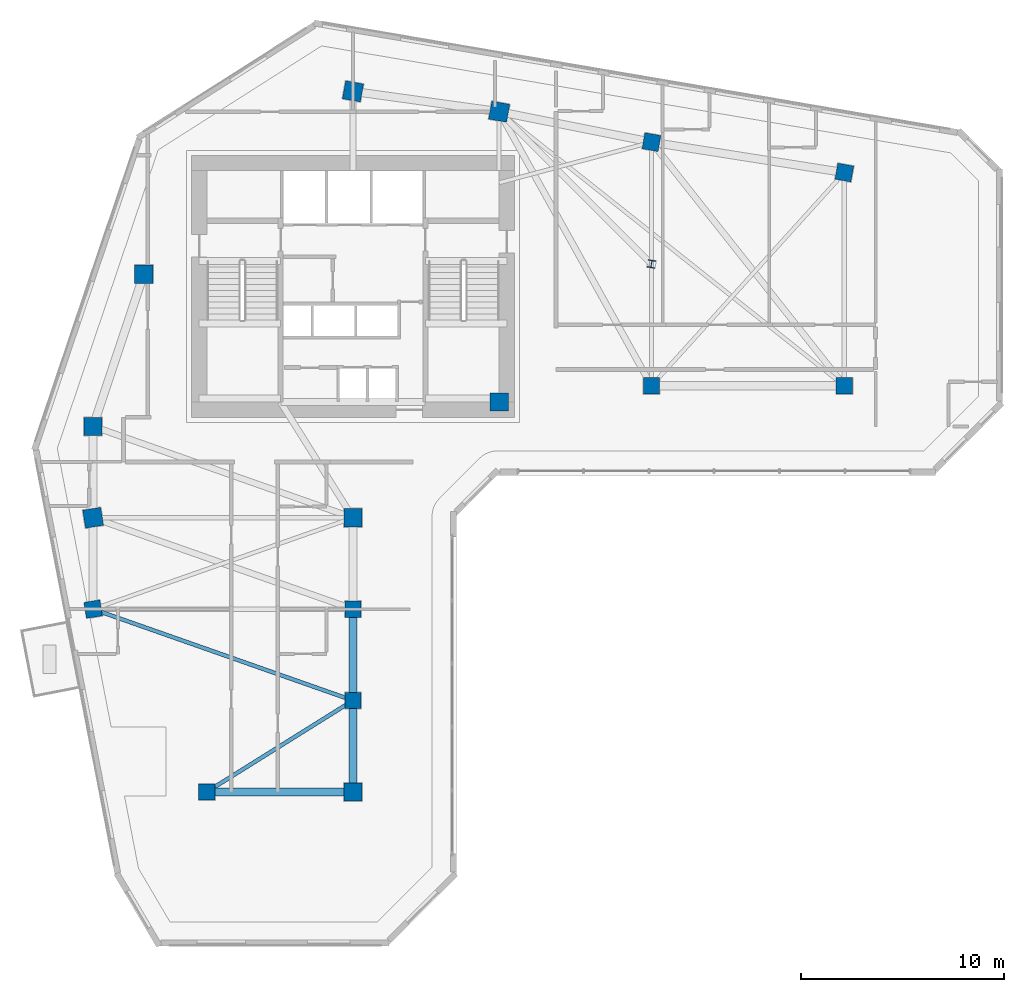
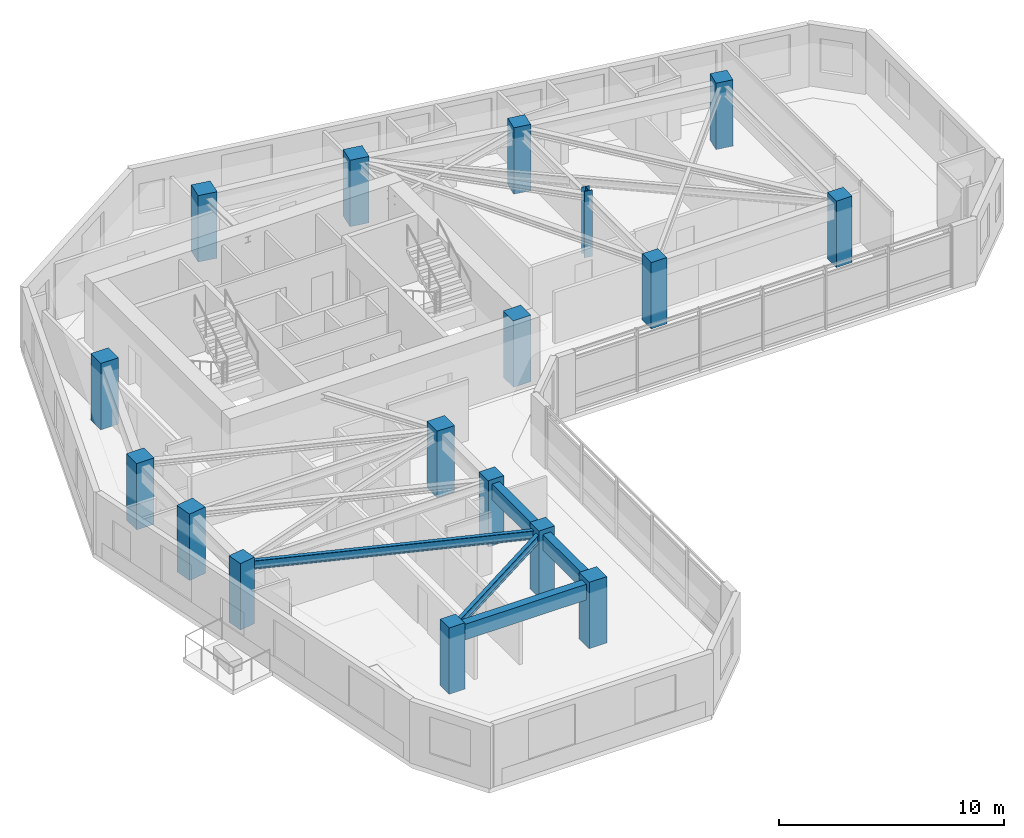
# One storey, part 1 of 11: 17 columns, 5 beams.
"""IFC4 building model written with IfcOpenShell, lengths in metres."""

from ifc_helpers import new_model, si_unit, direction, frame, origin, origin_2d, place, context, subcontext, project, spatial, rectangle, i_section, extrude, source, transform, mapped, material, material_profile, profile_set, type_object, element, save


model = new_model("IFC4")

# Units and contexts
model_context = context("Model", 3, precision=1e-05, world=origin(), true_north=direction((0.0, 1.0)))
body_context = subcontext(model_context, "Body", "Model", "MODEL_VIEW")
ifc_project = project(units=[si_unit("LENGTHUNIT", "METRE"), si_unit("AREAUNIT", "SQUARE_METRE"), si_unit("VOLUMEUNIT", "CUBIC_METRE"), si_unit("PLANEANGLEUNIT", "RADIAN"), si_unit("MASSUNIT", "GRAM", prefix="KILO")], contexts=[model_context])

# Site, building, storey
site_placement = place(None, origin())
site = spatial("IfcSite", under=ifc_project, at=site_placement, CompositionType="ELEMENT")
building_placement = place(site_placement, origin())
building = spatial("IfcBuilding", under=site, at=building_placement, Name="Calvemar Wedge Station Tower", CompositionType="ELEMENT")
storey_placement = place(building_placement, frame((0.0, 0.0, 117.800048828125)))
storey = spatial("IfcBuildingStorey", under=building, at=storey_placement, Name="L28", CompositionType="ELEMENT", Elevation=117.800048828125)

# Columns
ifc_material_1 = material(Name="Concrete C60", Category="concrete")
ifc_material_profile_1 = material_profile(ifc_material_1, rectangle(XDim=0.89990234375, YDim=0.89990234375, at=origin_2d()), Name="RC900x900")
ifc_profile_set_1 = profile_set([ifc_material_profile_1], Name="Concrete C60")
column_type_1 = type_object("IfcColumnType", Name="COL-C5-900", PredefinedType="COLUMN", material=ifc_profile_set_1)
shared_shape_1 = source(origin(), body_context, "Body", "SweptSolid", [
    extrude(rectangle(XDim=0.89990234375, YDim=0.89990234375, at=origin_2d()), origin(), (0.0, 0.0, 1.0), 3.599853515625),
])
for number, where, z_axis, x_axis, name in (
    (1, (11.0, 33.0, 0.0), (0.0, 0.0, 1.0), (1.0, 0.0, 0.0), "Storey L28 Column T-NW1"),
    (2, (13.5, 40.5, 0.0), (0.0, 0.0, 1.0), (1.0, 0.0, 0.0), "Storey L28 Column T-NW2"),
    (3, (23.800048828125, 49.5, 0.0), (0.0, 0.0, 1.0), (0.984195607969, -0.17708474032, 0.0), "Storey L28 Column T-N1"),
    (4, (31.0, 48.5, 0.0), (0.0, 0.0, 1.0), (0.984195607969, -0.17708474032, 0.0), "Storey L28 Column T-N2"),
    (5, (31.0, 34.199951171875, 0.0), (0.0, 0.0, 1.0), (1.0, 0.0, 0.0), "Storey L28 Column T-NL1"),
    (6, (11.0, 28.5, 0.0), (0.0, 0.0, 1.0), (0.158158067254, -0.987413806751, 0.0), "Storey L28 Column T-SW1"),
    (7, (23.800048828125, 28.5, 0.0), (0.0, 0.0, 1.0), (1.0, 0.0, 0.0), "Storey L28 Column T-SE1"),
    (8, (23.800048828125, 15.0, 0.0), (0.0, 0.0, 1.0), (1.0, 0.0, 0.0), "Storey L28 Column T-SE4"),
):
    element("IfcColumn", number, at=place(storey_placement, frame(where, z_axis=z_axis, x_axis=x_axis)), inside=storey, type_object=column_type_1, Name=name, PredefinedType="COLUMN", context=body_context, shape_type="MappedRepresentation", body=[
        mapped(shared_shape_1, transform((0.0, 0.0, 0.0), scale=1.0)),
    ])
ifc_material_2 = material(Name="Concrete C50", Category="concrete")
ifc_material_profile_2 = material_profile(ifc_material_2, rectangle(XDim=0.800048828125, YDim=0.800048828125, at=origin_2d()), Name="RC800x800")
ifc_profile_set_2 = profile_set([ifc_material_profile_2], Name="Concrete C50")
column_type_2 = type_object("IfcColumnType", Name="COL-C6-800", PredefinedType="COLUMN", material=ifc_profile_set_2)
shared_shape_2 = source(origin(), body_context, "Body", "SweptSolid", [
    extrude(rectangle(XDim=0.800048828125, YDim=0.800048828125, at=origin_2d()), origin(), (0.0, 0.0, 1.0), 3.599853515625),
])
for number, where, z_axis, x_axis, name in (
    (9, (38.5, 47.0, 0.0), (0.0, 0.0, 1.0), (0.984195607969, -0.17708474032, 0.0), "Storey L28 Column T-NU3"),
    (10, (48.0, 45.5, 0.0), (0.0, 0.0, 1.0), (0.984195607969, -0.17708474032, 0.0), "Storey L28 Column T-NU4"),
    (11, (38.5, 35.0, 0.0), (0.0, 0.0, 1.0), (1.0, 0.0, 0.0), "Storey L28 Column T-NL2"),
    (12, (48.0, 35.0, 0.0), (0.0, 0.0, 1.0), (1.0, 0.0, 0.0), "Storey L28 Column T-NL3"),
    (13, (11.0, 24.0, 0.0), (0.0, 0.0, 1.0), (0.158158067254, -0.987413806751, 0.0), "Storey L28 Column T-SW2"),
    (14, (23.800048828125, 24.0, 0.0), (0.0, 0.0, 1.0), (1.0, 0.0, 0.0), "Storey L28 Column T-SE2"),
    (15, (23.800048828125, 19.5, 0.0), (0.0, 0.0, 1.0), (1.0, 0.0, 0.0), "Storey L28 Column T-SE3"),
    (16, (16.60009765625, 15.0, 0.0), (0.0, 0.0, 1.0), (1.0, 0.0, 0.0), "Storey L28 Column T-SM1"),
):
    element("IfcColumn", number, at=place(storey_placement, frame(where, z_axis=z_axis, x_axis=x_axis)), inside=storey, type_object=column_type_2, Name=name, PredefinedType="COLUMN", context=body_context, shape_type="MappedRepresentation", body=[
        mapped(shared_shape_2, transform((0.0, 0.0, 0.0), scale=1.0)),
    ])
ifc_material_3 = material(Name="Structural steel ASTM A572 Grade 50", Category="steel")
ifc_material_profile_3 = material_profile(ifc_material_3, i_section(OverallWidth=0.3740234375, OverallDepth=0.3720703125, WebThickness=0.016357421875, FlangeThickness=0.026123046875, FilletRadius=0.014892578125, at=origin_2d()), Name="W360x196")
ifc_profile_set_3 = profile_set([ifc_material_profile_3], Name="Structural steel ASTM A572 Grade 50")
column_type_3 = type_object("IfcColumnType", Name="COL-STL-W360", PredefinedType="COLUMN", material=ifc_profile_set_3)
shared_shape_3 = source(origin(), body_context, "Body", "SweptSolid", [
    extrude(i_section(OverallWidth=0.3740234375, OverallDepth=0.3720703125, WebThickness=0.016357421875, FlangeThickness=0.026123046875, FilletRadius=0.014892578125, at=origin_2d()), origin(), (0.0, 0.0, 1.0), 3.599853515625),
])
column_placement = place(storey_placement, frame((38.5, 41.0, 0.0), z_axis=(0.0, 0.0, 1.0), x_axis=(0.984195607969, -0.17708474032, 0.0)))
element("IfcColumn", 17, at=column_placement, inside=storey, type_object=column_type_3, Name="Storey L28 Column T-NTIP-B", PredefinedType="COLUMN", context=body_context, shape_type="MappedRepresentation", body=[
    mapped(shared_shape_3, transform((0.0, 0.0, 0.0), scale=1.0)),
])

# Beams
ifc_material_profile_4 = material_profile(ifc_material_1, rectangle(XDim=0.39990234375, YDim=0.85009765625, at=origin_2d()), Name="RC400x850")
ifc_profile_set_4 = profile_set([ifc_material_profile_4], Name="Concrete C60")
beam_type_1 = type_object("IfcBeamType", Name="BM-SP1-850", PredefinedType="SPANDREL", material=ifc_profile_set_4)
shared_shape_4 = source(origin(), body_context, "Body", "SweptSolid", [
    extrude(rectangle(XDim=0.39990234375, YDim=0.85009765625, at=origin_2d()), origin(), (0.0, 0.0, 1.0), 4.5),
])
for number, where, z_axis, x_axis, name in (
    (18, (23.800048828125, 24.0, 2.925048828125), (0.0, -1.0, 0.0), (1.0, 0.0, 0.0), "Storey L28 Spandrel T-SE2-T-SE3"),
    (19, (23.800048828125, 19.5, 2.925048828125), (0.0, -1.0, 0.0), (1.0, 0.0, 0.0), "Storey L28 Spandrel T-SE3-T-SE4"),
):
    element("IfcBeam", number, at=place(storey_placement, frame(where, z_axis=z_axis, x_axis=x_axis)), inside=storey, type_object=beam_type_1, Name=name, PredefinedType="SPANDREL", context=body_context, shape_type="MappedRepresentation", body=[
        mapped(shared_shape_4, transform((0.0, 0.0, 0.0), scale=1.0)),
    ])
shared_shape_5 = source(origin(), body_context, "Body", "SweptSolid", [
    extrude(rectangle(XDim=0.39990234375, YDim=0.85009765625, at=origin_2d()), origin(), (0.0, 0.0, 1.0), 7.199951171875),
])
beam_1_placement = place(storey_placement, frame((16.60009765625, 15.0, 2.925048828125), z_axis=(1.0, 0.0, 0.0), x_axis=(0.0, 1.0, 0.0)))
element("IfcBeam", 20, at=beam_1_placement, inside=storey, type_object=beam_type_1, Name="Storey L28 Spandrel T-SM1-T-SE4", PredefinedType="SPANDREL", context=body_context, shape_type="MappedRepresentation", body=[
    mapped(shared_shape_5, transform((0.0, 0.0, 0.0), scale=1.0)),
])
ifc_material_profile_5 = material_profile(ifc_material_3, i_section(OverallWidth=0.19189453125, OverallDepth=0.462890625, WebThickness=0.010498046875, FlangeThickness=0.017578125, FilletRadius=0.012939453125, at=origin_2d()), Name="W460x89")
ifc_profile_set_5 = profile_set([ifc_material_profile_5], Name="Structural steel ASTM A572 Grade 50")
beam_type_2 = type_object("IfcBeamType", Name="BM-J1-W460", PredefinedType="JOIST", material=ifc_profile_set_5)
shared_shape_6 = source(origin(), body_context, "Body", "SweptSolid", [
    extrude(i_section(OverallWidth=0.19189453125, OverallDepth=0.462890625, WebThickness=0.010498046875, FlangeThickness=0.017578125, FilletRadius=0.012939453125, at=origin_2d()), origin(), (0.0, 0.0, 1.0), 13.568115234375),
])
beam_2_placement = place(storey_placement, frame((11.0, 24.0, 3.118408203125), z_axis=(0.943398221169, -0.331662171939, 0.0), x_axis=(0.331662171939, 0.943398221169, 0.0)))
element("IfcBeam", 21, at=beam_2_placement, inside=storey, type_object=beam_type_2, Name="Storey L28 Floor Beam T-SW2-T-SE3", PredefinedType="JOIST", context=body_context, shape_type="MappedRepresentation", body=[
    mapped(shared_shape_6, transform((0.0, 0.0, 0.0), scale=1.0)),
])
shared_shape_7 = source(origin(), body_context, "Body", "SweptSolid", [
    extrude(i_section(OverallWidth=0.19189453125, OverallDepth=0.462890625, WebThickness=0.010498046875, FlangeThickness=0.017578125, FilletRadius=0.012939453125, at=origin_2d()), origin(), (0.0, 0.0, 1.0), 8.490478515625),
])
beam_3_placement = place(storey_placement, frame((23.800048828125, 19.5, 3.118408203125), z_axis=(-0.847996688584, -0.530001524668, 0.0), x_axis=(0.530001524668, -0.847996688584, 0.0)))
element("IfcBeam", 22, at=beam_3_placement, inside=storey, type_object=beam_type_2, Name="Storey L28 Floor Beam T-SE3-T-SM1", PredefinedType="JOIST", context=body_context, shape_type="MappedRepresentation", body=[
    mapped(shared_shape_7, transform((0.0, 0.0, 0.0), scale=1.0)),
])

save(model, "model.ifc")
